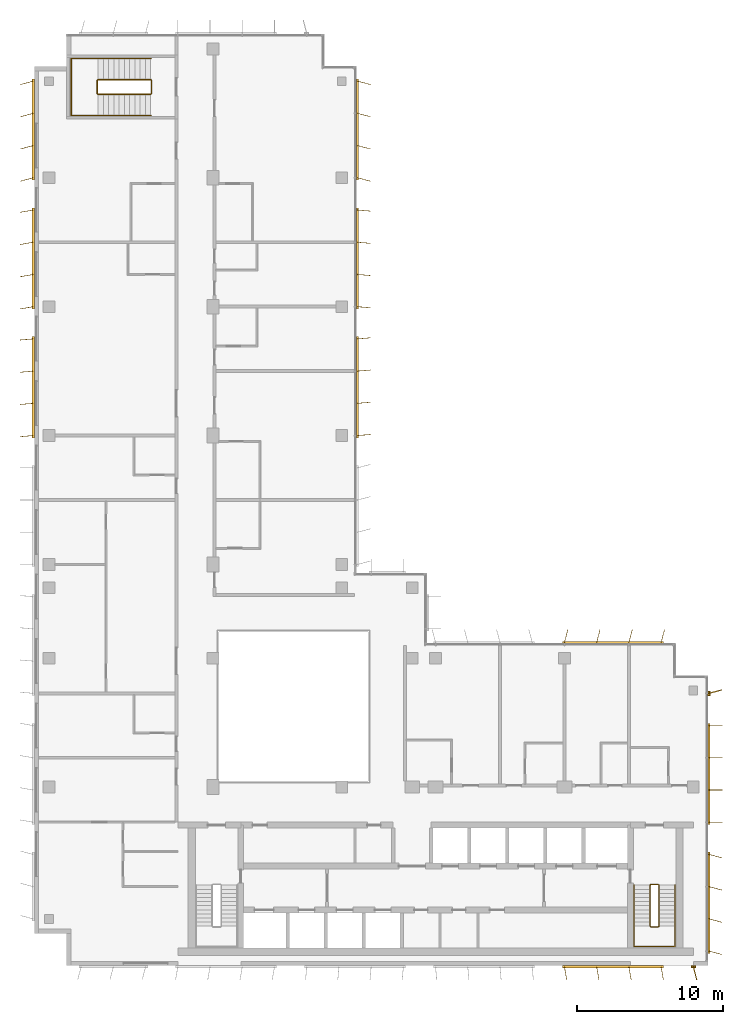
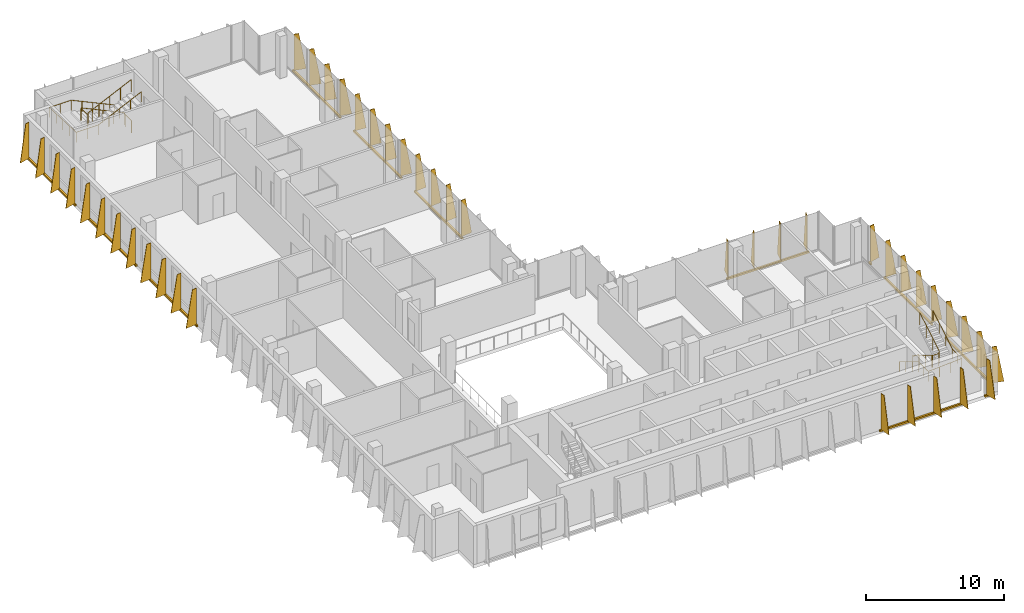
# One storey, part 14 of 15: 12 shading devices, 4 railings.
"""IFC4 building model written with IfcOpenShell, lengths in metres."""

import ifcopenshell
import ifcopenshell.guid

model = None  # the IFC model being written
_history = None  # IfcOwnerHistory: only IFC2X3 demands one
_inside = {}  # id of a spatial element -> (the spatial element, [elements in it])
_under = {}  # id of a project, library or spatial element -> (it, [spatial elements below it])
_declared = {}  # id of a project -> (the project, [libraries it declares])
_typed = {}  # id of a type object -> (the type object, [elements of that type])
_made_of = {}  # id of a material, layer set ... -> (it, [elements and type objects made of it])


def new_model(schema):
    """Start an empty IFC model of exactly this schema.

    Asked for "IFC4X3", IfcOpenShell would pick the latest addendum, in which some entities
    have other attributes; the version numbers below select the first issue.
    IFC2X3 requires an IfcOwnerHistory on every rooted entity: one is made here for all.
    """
    global model, _history
    if schema == "IFC4X3":
        model = ifcopenshell.file(schema_version=(4, 3, 0, 0))
    else:
        model = ifcopenshell.file(schema=schema)
    _inside.clear()
    _under.clear()
    _declared.clear()
    _typed.clear()
    _made_of.clear()
    _history = None
    if model.schema == "IFC2X3":
        org = make("IfcOrganization", Name="unknown")
        user = make(
            "IfcPersonAndOrganization",
            ThePerson=make("IfcPerson", FamilyName="unknown"),
            TheOrganization=org,
        )
        app = make(
            "IfcApplication",
            ApplicationDeveloper=org,
            Version="unknown",
            ApplicationFullName="unknown",
            ApplicationIdentifier="unknown",
        )
        _history = make(
            "IfcOwnerHistory",
            OwningUser=user,
            OwningApplication=app,
            ChangeAction="ADDED",
            CreationDate=0,
        )
    return model


def make(cls, **values):
    """One entity of the class cls with the attributes given. An attribute that is None is left unset."""
    return model.create_entity(
        cls, **{name: value for name, value in values.items() if value is not None}
    )


def rooted(cls, **values):
    """An entity with a GlobalId (a new one), such as an element, a storey or a relation."""
    return make(cls, GlobalId=ifcopenshell.guid.new(), OwnerHistory=_history, **values)


def si_unit(unit_type, name, prefix=None):
    """IfcSIUnit, for example si_unit("LENGTHUNIT", "METRE", prefix="MILLI")."""
    return make("IfcSIUnit", UnitType=unit_type, Prefix=prefix, Name=name)


def assignment(units):
    """IfcUnitAssignment: the units of a project."""
    return None if units is None else make("IfcUnitAssignment", Units=units)


def point(xyz):
    """IfcCartesianPoint."""
    return None if xyz is None else make("IfcCartesianPoint", Coordinates=xyz)


def direction(xyz):
    """IfcDirection."""
    return None if xyz is None else make("IfcDirection", DirectionRatios=xyz)


def frame(location, z_axis=None, x_axis=None):
    """IfcAxis2Placement3D, a coordinate frame: its origin and axes. An axis left out is left unset."""
    return make(
        "IfcAxis2Placement3D",
        Location=point(location),
        Axis=direction(z_axis),
        RefDirection=direction(x_axis),
    )


def frame_2d(location, x_axis=None):
    """IfcAxis2Placement2D, a coordinate frame in the plane: its origin and x axis."""
    return make(
        "IfcAxis2Placement2D", Location=point(location), RefDirection=direction(x_axis)
    )


def origin():
    """The frame at (0, 0, 0) with its axes left unset."""
    return frame((0.0, 0.0, 0.0))


def origin_2d():
    """The frame at (0, 0) in the plane with its x axis left unset."""
    return frame_2d((0.0, 0.0))


def place(relative_to, where):
    """IfcLocalPlacement: puts the frame where relative to a parent placement (None: the world)."""
    return make(
        "IfcLocalPlacement", PlacementRelTo=relative_to, RelativePlacement=where
    )


def context(
    kind, dimensions, precision=None, world=None, true_north=None, identifier=None
):
    """IfcGeometricRepresentationContext, for example the 3D "Model" context."""
    return make(
        "IfcGeometricRepresentationContext",
        ContextIdentifier=identifier,
        ContextType=kind,
        CoordinateSpaceDimension=dimensions,
        Precision=precision,
        WorldCoordinateSystem=world,
        TrueNorth=true_north,
    )


def subcontext(parent, identifier, kind, view, scale=None):
    """IfcGeometricRepresentationSubContext, for example "Body" below "Model"."""
    return make(
        "IfcGeometricRepresentationSubContext",
        ContextIdentifier=identifier,
        ContextType=kind,
        ParentContext=parent,
        TargetScale=scale,
        TargetView=view,
    )


def project(units=None, contexts=None):
    """IfcProject with its units and contexts."""
    return rooted(
        "IfcProject",
        Name="project",
        RepresentationContexts=contexts,
        UnitsInContext=assignment(units),
    )


def spatial(cls, under=None, at=None, **own):
    """A site, building, storey or space (cls), placed at a placement, below another one or the project."""
    s = rooted(cls, ObjectPlacement=at, **own)
    if under is not None:
        _under.setdefault(under.id(), (under, []))[1].append(s)
    return s


def polyline(points):
    """IfcPolyline through the points."""
    return make("IfcPolyline", Points=[point(p) for p in points])


def profile(cls, at=None, kind="AREA", **sizes):
    """A parametric profile (cls). Its sizes go by their IFC names, for example OverallWidth=200.0."""
    return make(cls, ProfileType=kind, Position=at, **sizes)


def rectangle(**sizes):
    """IfcRectangleProfileDef."""
    return profile("IfcRectangleProfileDef", **sizes)


def circle(**sizes):
    """IfcCircleProfileDef."""
    return profile("IfcCircleProfileDef", **sizes)


def outline(outer, holes=None, kind="AREA"):
    """IfcArbitraryClosedProfileDef: a profile drawn as a closed curve; with holes, ...WithVoids."""
    if holes is None:
        return make("IfcArbitraryClosedProfileDef", ProfileType=kind, OuterCurve=outer)
    return make(
        "IfcArbitraryProfileDefWithVoids",
        ProfileType=kind,
        OuterCurve=outer,
        InnerCurves=holes,
    )


def extrude(swept, where, along, depth):
    """IfcExtrudedAreaSolid: the profile swept, set in the frame where, extruded along a direction by depth."""
    return make(
        "IfcExtrudedAreaSolid",
        SweptArea=swept,
        Position=where,
        ExtrudedDirection=direction(along),
        Depth=depth,
    )


def shape(context_of_items, identifier, shape_type, items):
    """IfcShapeRepresentation: the items that make up one representation, for example the "Body"."""
    return make(
        "IfcShapeRepresentation",
        ContextOfItems=context_of_items,
        RepresentationIdentifier=identifier,
        RepresentationType=shape_type,
        Items=items,
    )


def source(mapping_origin, context_of_items, identifier, shape_type, items):
    """IfcRepresentationMap: a shape defined once, which mapped items show again and again."""
    return make(
        "IfcRepresentationMap",
        MappingOrigin=mapping_origin,
        MappedRepresentation=shape(context_of_items, identifier, shape_type, items),
    )


def transform(
    local_origin,
    x_axis=None,
    y_axis=None,
    z_axis=None,
    scale=None,
    scale2=None,
    scale3=None,
    uniform=True,
):
    """IfcCartesianTransformationOperator3D, or its non-uniform kind. x_axis, y_axis, z_axis: its Axis1, 2, 3."""
    if uniform:
        return make(
            "IfcCartesianTransformationOperator3D",
            Axis1=direction(x_axis),
            Axis2=direction(y_axis),
            LocalOrigin=point(local_origin),
            Scale=scale,
            Axis3=direction(z_axis),
        )
    return make(
        "IfcCartesianTransformationOperator3DnonUniform",
        Axis1=direction(x_axis),
        Axis2=direction(y_axis),
        LocalOrigin=point(local_origin),
        Scale=scale,
        Axis3=direction(z_axis),
        Scale2=scale2,
        Scale3=scale3,
    )


def mapped(mapping_source, mapping_target):
    """IfcMappedItem: shows the shape of a source again, moved by a transform."""
    return make(
        "IfcMappedItem", MappingSource=mapping_source, MappingTarget=mapping_target
    )


def material(Name=None, Category=None):
    """IfcMaterial."""
    return make("IfcMaterial", Name=Name, Category=Category)


def layer(
    of_material, thickness, ventilated=None, Name=None, Category=None, Priority=None
):
    """IfcMaterialLayer: one layer of a wall or slab, of a material (None: an air gap)."""
    return make(
        "IfcMaterialLayer",
        Material=of_material,
        LayerThickness=thickness,
        IsVentilated=ventilated,
        Name=Name,
        Category=Category,
        Priority=Priority,
    )


def layer_set(layers, Name=None):
    """IfcMaterialLayerSet."""
    return make("IfcMaterialLayerSet", MaterialLayers=layers, LayerSetName=Name)


def made_of(thing, what):
    """Note that an element or type object is made of a material, layer set ...; save() writes the relation."""
    if what is not None:
        _made_of.setdefault(what.id(), (what, []))[1].append(thing)
    return thing


def type_object(cls, material=None, **own):
    """A type object (cls), such as IfcWallType, which elements share."""
    return made_of(rooted(cls, **own), material)


def element(
    cls,
    number,
    at=None,
    inside=None,
    cuts=None,
    type_object=None,
    material=None,
    context=None,
    identifier="Body",
    shape_type=None,
    held_by="IfcProductDefinitionShape",
    body=None,
    shapes=None,
    **own,
):
    """One element of the class cls, such as IfcWall. Its Tag is "e" and its number.

    at: its placement. inside: the storey or other place that contains it. cuts: it is an
    opening in that element (IfcRelVoidsElement). A single representation is given by context,
    identifier, shape_type and body (its items); several are given by shapes. held_by: the class
    of the entity that holds the representations. save() writes the other relations.
    """
    e = rooted(cls, Tag="e%d" % number, ObjectPlacement=at, **own)
    if body is not None:
        shapes = [shape(context, identifier, shape_type, body)]
    if shapes is not None:
        e.Representation = make(held_by, Representations=shapes)
    if inside is not None:
        _inside.setdefault(inside.id(), (inside, []))[1].append(e)
    if cuts is not None:
        rooted(
            "IfcRelVoidsElement", RelatingBuildingElement=cuts, RelatedOpeningElement=e
        )
    if type_object is not None:
        _typed.setdefault(type_object.id(), (type_object, []))[1].append(e)
    return made_of(e, material)


def aggregate(whole, parts):
    """IfcRelAggregates: a whole, such as a stair, and the parts it consists of."""
    return rooted("IfcRelAggregates", RelatingObject=whole, RelatedObjects=parts)


def save(model, path):
    """Write the relations noted so far, then the file.

    IfcRelAggregates (storeys below a building ...), IfcRelContainedInSpatialStructure (elements
    in a storey), IfcRelDefinesByType, IfcRelAssociatesMaterial and IfcRelDeclares: one each for
    every whole, place, type object, material and project.
    """
    for whole, parts in _under.values():
        aggregate(whole, parts)
    for where, things in _inside.values():
        rooted(
            "IfcRelContainedInSpatialStructure",
            RelatedElements=things,
            RelatingStructure=where,
        )
    for kind, things in _typed.values():
        rooted("IfcRelDefinesByType", RelatedObjects=things, RelatingType=kind)
    for what, things in _made_of.values():
        rooted("IfcRelAssociatesMaterial", RelatedObjects=things, RelatingMaterial=what)
    for by, libraries in _declared.values():
        rooted("IfcRelDeclares", RelatingContext=by, RelatedDefinitions=libraries)
    model.write(path)


model = new_model("IFC4")

# Units and contexts
model_context = context("Model", 3, precision=1e-05, world=origin(), true_north=direction((0.0, 1.0)))
body_context = subcontext(model_context, "Body", "Model", "MODEL_VIEW")
ifc_project = project(units=[si_unit("LENGTHUNIT", "METRE"), si_unit("AREAUNIT", "SQUARE_METRE"), si_unit("VOLUMEUNIT", "CUBIC_METRE"), si_unit("PLANEANGLEUNIT", "RADIAN"), si_unit("MASSUNIT", "GRAM", prefix="KILO")], contexts=[model_context])

# Site, building, storey
site_placement = place(None, origin())
site = spatial("IfcSite", under=ifc_project, at=site_placement, CompositionType="ELEMENT")
building_placement = place(site_placement, origin())
building = spatial("IfcBuilding", under=site, at=building_placement, Name="Kemantara Hotel Tower", CompositionType="ELEMENT")
storey_placement = place(building_placement, frame((0.0, 0.0, 279.60009765625)))
storey = spatial("IfcBuildingStorey", under=building, at=storey_placement, Name="L70", CompositionType="ELEMENT", Elevation=279.60009765625)

# Railings
ifc_material_1 = material(Name="Stainless steel balustrade", Category="steel")
railing_type_1 = type_object("IfcRailingType", Name="Stair guard 1100 mm", PredefinedType="GUARDRAIL", material=ifc_material_1)
railing_1_placement = place(storey_placement, frame((42.64990234375, 5.5, 3.699951171875)))
element("IfcRailing", 1, at=railing_1_placement, inside=storey, type_object=railing_type_1, Name="L70 ST2 stair guard 1", PredefinedType="GUARDRAIL", context=body_context, shape_type="SweptSolid", body=[
    extrude(circle(Radius=0.02392578125, at=origin_2d()), frame((0.0, 0.0, 1.076171875), z_axis=(0.0, -0.857242210791, -0.514913383045), x_axis=(1.0, 0.0, 0.0)), (0.0, 0.0, 1.0), 3.266357421875),
    extrude(circle(Radius=0.02392578125, at=origin_2d()), frame((0.0, -2.800048828125, -0.60595703125), z_axis=(-0.273006030465, -0.27434429532, -0.922064485248), x_axis=(0.708833529934, -0.705375805398, 0.0)), (0.0, 0.0, 1.0), 0.182373046875),
    extrude(circle(Radius=0.02392578125, at=origin_2d()), frame((-0.0498046875, -2.85009765625, -0.77392578125), z_axis=(-1.0, 0.0, 0.0), x_axis=(0.0, -1.0, 0.0)), (0.0, 0.0, 1.0), 0.5),
    extrude(circle(Radius=0.02392578125, at=origin_2d()), frame((-0.5498046875, -2.85009765625, -0.77392578125), z_axis=(-0.707106781187, 0.707106781187, 0.0), x_axis=(-0.707106781187, -0.707106781187, 0.0)), (0.0, 0.0, 1.0), 0.07080078125),
    extrude(circle(Radius=0.02392578125, at=origin_2d()), frame((-0.599853515625, -2.800048828125, -0.77392578125), z_axis=(0.0, 0.857242210791, -0.514913383045), x_axis=(-1.0, 0.0, 0.0)), (0.0, 0.0, 1.0), 3.266357421875),
    extrude(circle(Radius=0.02392578125, at=origin_2d()), frame((-0.599853515625, 0.0, -2.4560546875), z_axis=(0.274582412415, 0.274582412415, -0.921525364591), x_axis=(-0.707106781187, 0.707106781187, 0.0)), (0.0, 0.0, 1.0), 0.182373046875),
    extrude(circle(Radius=0.02392578125, at=origin_2d()), frame((-0.5498046875, 0.050048828125, -2.6240234375), z_axis=(1.0, 0.0, 0.0), x_axis=(0.0, 1.0, 0.0)), (0.0, 0.0, 1.0), 0.5),
    extrude(circle(Radius=0.02099609375, at=origin_2d()), origin(), (0.0, 0.0, 1.0), 1.052001953125),
    extrude(circle(Radius=0.02099609375, at=origin_2d()), frame((0.0, -0.933349609375, -0.560546875)), (0.0, 0.0, 1.0), 1.052001953125),
    extrude(circle(Radius=0.02099609375, at=origin_2d()), frame((0.0, -1.86669921875, -1.121337890625)), (0.0, 0.0, 1.0), 1.052001953125),
    extrude(circle(Radius=0.02099609375, at=origin_2d()), frame((0.0, -2.800048828125, -1.681884765625)), (0.0, 0.0, 1.0), 1.052001953125),
    extrude(circle(Radius=0.02099609375, at=origin_2d()), frame((-0.0498046875, -2.85009765625, -1.85009765625)), (0.0, 0.0, 1.0), 1.052001953125),
    extrude(circle(Radius=0.02099609375, at=origin_2d()), frame((-0.5498046875, -2.85009765625, -1.85009765625)), (0.0, 0.0, 1.0), 1.052001953125),
    extrude(circle(Radius=0.02099609375, at=origin_2d()), frame((-0.599853515625, -2.800048828125, -1.85009765625)), (0.0, 0.0, 1.0), 1.052001953125),
    extrude(circle(Radius=0.02099609375, at=origin_2d()), frame((-0.599853515625, -1.86669921875, -2.41064453125)), (0.0, 0.0, 1.0), 1.052001953125),
    extrude(circle(Radius=0.02099609375, at=origin_2d()), frame((-0.599853515625, -0.933349609375, -2.971435546875)), (0.0, 0.0, 1.0), 1.052001953125),
    extrude(circle(Radius=0.02099609375, at=origin_2d()), frame((-0.599853515625, 0.0, -3.531982421875)), (0.0, 0.0, 1.0), 1.052001953125),
    extrude(circle(Radius=0.02099609375, at=origin_2d()), frame((-0.5498046875, 0.050048828125, -3.699951171875)), (0.0, 0.0, 1.0), 1.052001953125),
    extrude(circle(Radius=0.02099609375, at=origin_2d()), frame((-0.0498046875, 0.050048828125, -3.699951171875)), (0.0, 0.0, 1.0), 1.052001953125),
])
railing_2_placement = place(storey_placement, frame((7.949951171875, 59.5, 3.699951171875)))
element("IfcRailing", 2, at=railing_2_placement, inside=storey, type_object=railing_type_1, Name="L70 ST4 stair guard 1", PredefinedType="GUARDRAIL", context=body_context, shape_type="SweptSolid", body=[
    extrude(circle(Radius=0.02392578125, at=origin_2d()), frame((0.0, 0.0, 1.076171875), z_axis=(-0.905994681025, 0.0, -0.423289071386), x_axis=(0.0, -1.0, 0.0)), (0.0, 0.0, 1.0), 3.973388671875),
    extrude(circle(Radius=0.02392578125, at=origin_2d()), frame((-3.599853515625, 0.0, -0.60595703125), z_axis=(-0.274243871929, 0.274243871929, -0.92172696468), x_axis=(-0.707106781187, -0.707106781187, 0.0)), (0.0, 0.0, 1.0), 0.1826171875),
    extrude(circle(Radius=0.02392578125, at=origin_2d()), frame((-3.64990234375, 0.050048828125, -0.77392578125), z_axis=(0.0, 1.0, 0.0), x_axis=(-1.0, 0.0, 0.0)), (0.0, 0.0, 1.0), 0.89990234375),
    extrude(circle(Radius=0.02392578125, at=origin_2d()), frame((-3.64990234375, 0.949951171875, -0.77392578125), z_axis=(0.707106781187, 0.707106781187, 0.0), x_axis=(-0.707106781187, 0.707106781187, 0.0)), (0.0, 0.0, 1.0), 0.07080078125),
    extrude(circle(Radius=0.02392578125, at=origin_2d()), frame((-3.599853515625, 1.0, -0.77392578125), z_axis=(0.905994681025, 0.0, -0.423289071386), x_axis=(0.0, 1.0, 0.0)), (0.0, 0.0, 1.0), 3.973388671875),
    extrude(circle(Radius=0.02392578125, at=origin_2d()), frame((0.0, 1.0, -2.4560546875), z_axis=(0.274582412415, -0.274582412415, -0.921525364591), x_axis=(0.707106781187, 0.707106781187, 0.0)), (0.0, 0.0, 1.0), 0.182373046875),
    extrude(circle(Radius=0.02392578125, at=origin_2d()), frame((0.050048828125, 0.949951171875, -2.6240234375), z_axis=(0.0, -1.0, 0.0), x_axis=(1.0, 0.0, 0.0)), (0.0, 0.0, 1.0), 0.89990234375),
    extrude(circle(Radius=0.02099609375, at=origin_2d()), origin(), (0.0, 0.0, 1.0), 1.052001953125),
    extrude(circle(Radius=0.02099609375, at=origin_2d()), frame((-0.89990234375, 0.0, -0.42041015625)), (0.0, 0.0, 1.0), 1.052001953125),
    extrude(circle(Radius=0.02099609375, at=origin_2d()), frame((-1.7998046875, 0.0, -0.8408203125)), (0.0, 0.0, 1.0), 1.052001953125),
    extrude(circle(Radius=0.02099609375, at=origin_2d()), frame((-2.699951171875, 0.0, -1.261474609375)), (0.0, 0.0, 1.0), 1.052001953125),
    extrude(circle(Radius=0.02099609375, at=origin_2d()), frame((-3.599853515625, 0.0, -1.681884765625)), (0.0, 0.0, 1.0), 1.052001953125),
    extrude(circle(Radius=0.02099609375, at=origin_2d()), frame((-3.64990234375, 0.050048828125, -1.85009765625)), (0.0, 0.0, 1.0), 1.052001953125),
    extrude(circle(Radius=0.02099609375, at=origin_2d()), frame((-3.64990234375, 0.949951171875, -1.85009765625)), (0.0, 0.0, 1.0), 1.052001953125),
    extrude(circle(Radius=0.02099609375, at=origin_2d()), frame((-3.599853515625, 1.0, -1.85009765625)), (0.0, 0.0, 1.0), 1.052001953125),
    extrude(circle(Radius=0.02099609375, at=origin_2d()), frame((-2.699951171875, 1.0, -2.2705078125)), (0.0, 0.0, 1.0), 1.052001953125),
    extrude(circle(Radius=0.02099609375, at=origin_2d()), frame((-1.7998046875, 1.0, -2.69091796875)), (0.0, 0.0, 1.0), 1.052001953125),
    extrude(circle(Radius=0.02099609375, at=origin_2d()), frame((-0.89990234375, 1.0, -3.111572265625)), (0.0, 0.0, 1.0), 1.052001953125),
    extrude(circle(Radius=0.02099609375, at=origin_2d()), frame((0.0, 1.0, -3.531982421875)), (0.0, 0.0, 1.0), 1.052001953125),
    extrude(circle(Radius=0.02099609375, at=origin_2d()), frame((0.050048828125, 0.949951171875, -3.699951171875)), (0.0, 0.0, 1.0), 1.052001953125),
    extrude(circle(Radius=0.02099609375, at=origin_2d()), frame((0.050048828125, 0.050048828125, -3.699951171875)), (0.0, 0.0, 1.0), 1.052001953125),
])
railing_type_2 = type_object("IfcRailingType", Name="Stair handrail 900 mm", PredefinedType="HANDRAIL", material=ifc_material_1)
railing_3_placement = place(storey_placement, frame((40.949951171875, 5.5, 0.16796875)))
element("IfcRailing", 3, at=railing_3_placement, inside=storey, type_object=railing_type_2, Name="L70 ST2 stair handrail 1", PredefinedType="HANDRAIL", context=body_context, shape_type="SweptSolid", body=[
    extrude(circle(Radius=0.02392578125, at=origin_2d()), frame((0.0, 0.0, 0.8759765625), z_axis=(0.0, -0.857242210791, 0.514913383045), x_axis=(1.0, 0.0, 0.0)), (0.0, 0.0, 1.0), 3.266357421875),
    extrude(circle(Radius=0.02392578125, at=origin_2d()), frame((0.0, -2.800048828125, 2.5576171875), z_axis=(0.0, -1.0, 0.0), x_axis=(1.0, 0.0, 0.0)), (0.0, 0.0, 1.0), 1.3798828125),
    extrude(circle(Radius=0.02392578125, at=origin_2d()), frame((0.0, -4.179931640625, 2.5576171875), z_axis=(0.998200367801, 0.0, 0.059966871865), x_axis=(0.0, 1.0, 0.0)), (0.0, 0.0, 1.0), 2.80517578125),
    extrude(circle(Radius=0.02392578125, at=origin_2d()), frame((2.800048828125, -4.179931640625, 2.72607421875), z_axis=(0.0, 1.0, 0.0), x_axis=(-1.0, 0.0, 0.0)), (0.0, 0.0, 1.0), 1.3798828125),
    extrude(circle(Radius=0.02392578125, at=origin_2d()), frame((2.800048828125, -2.800048828125, 2.72607421875), z_axis=(0.0, 0.857242210791, 0.514913383045), x_axis=(-1.0, 0.0, 0.0)), (0.0, 0.0, 1.0), 3.266357421875),
    extrude(circle(Radius=0.02099609375, at=origin_2d()), origin(), (0.0, 0.0, 1.0), 0.851806640625),
    extrude(circle(Radius=0.02099609375, at=origin_2d()), frame((0.0, -0.933349609375, 0.560546875)), (0.0, 0.0, 1.0), 0.851806640625),
    extrude(circle(Radius=0.02099609375, at=origin_2d()), frame((0.0, -1.86669921875, 1.121337890625)), (0.0, 0.0, 1.0), 0.851806640625),
    extrude(circle(Radius=0.02099609375, at=origin_2d()), frame((0.0, -2.800048828125, 1.681884765625)), (0.0, 0.0, 1.0), 0.851806640625),
    extrude(circle(Radius=0.02099609375, at=origin_2d()), frame((0.0, -3.489990234375, 1.681884765625)), (0.0, 0.0, 1.0), 0.851806640625),
    extrude(circle(Radius=0.02099609375, at=origin_2d()), frame((0.0, -4.179931640625, 1.681884765625)), (0.0, 0.0, 1.0), 0.851806640625),
    extrude(circle(Radius=0.02099609375, at=origin_2d()), frame((0.933349609375, -4.179931640625, 1.738037109375)), (0.0, 0.0, 1.0), 0.851806640625),
    extrude(circle(Radius=0.02099609375, at=origin_2d()), frame((1.86669921875, -4.179931640625, 1.7939453125)), (0.0, 0.0, 1.0), 0.851806640625),
    extrude(circle(Radius=0.02099609375, at=origin_2d()), frame((2.800048828125, -4.179931640625, 1.85009765625)), (0.0, 0.0, 1.0), 0.851806640625),
    extrude(circle(Radius=0.02099609375, at=origin_2d()), frame((2.800048828125, -3.489990234375, 1.85009765625)), (0.0, 0.0, 1.0), 0.851806640625),
    extrude(circle(Radius=0.02099609375, at=origin_2d()), frame((2.800048828125, -2.800048828125, 1.85009765625)), (0.0, 0.0, 1.0), 0.851806640625),
    extrude(circle(Radius=0.02099609375, at=origin_2d()), frame((2.800048828125, -1.86669921875, 2.41064453125)), (0.0, 0.0, 1.0), 0.851806640625),
    extrude(circle(Radius=0.02099609375, at=origin_2d()), frame((2.800048828125, -0.933349609375, 2.971435546875)), (0.0, 0.0, 1.0), 0.851806640625),
    extrude(circle(Radius=0.02099609375, at=origin_2d()), frame((2.800048828125, 0.0, 3.531982421875)), (0.0, 0.0, 1.0), 0.851806640625),
])
railing_4_placement = place(storey_placement, frame((7.949951171875, 61.949951171875, 0.16796875)))
element("IfcRailing", 4, at=railing_4_placement, inside=storey, type_object=railing_type_2, Name="L70 ST4 stair handrail 1", PredefinedType="HANDRAIL", context=body_context, shape_type="SweptSolid", body=[
    extrude(circle(Radius=0.02392578125, at=origin_2d()), frame((0.0, 0.0, 0.8759765625), z_axis=(-0.905994681025, 0.0, 0.423289071386), x_axis=(0.0, -1.0, 0.0)), (0.0, 0.0, 1.0), 3.973388671875),
    extrude(circle(Radius=0.02392578125, at=origin_2d()), frame((-3.599853515625, 0.0, 2.5576171875), z_axis=(-1.0, 0.0, 0.0), x_axis=(0.0, -1.0, 0.0)), (0.0, 0.0, 1.0), 1.830078125),
    extrude(circle(Radius=0.02392578125, at=origin_2d()), frame((-5.429931640625, 0.0, 2.5576171875), z_axis=(0.0, -0.999071085748, 0.043092523981), x_axis=(1.0, 0.0, 0.0)), (0.0, 0.0, 1.0), 3.903564453125),
    extrude(circle(Radius=0.02392578125, at=origin_2d()), frame((-5.429931640625, -3.89990234375, 2.72607421875), z_axis=(1.0, 0.0, 0.0), x_axis=(0.0, 1.0, 0.0)), (0.0, 0.0, 1.0), 1.830078125),
    extrude(circle(Radius=0.02392578125, at=origin_2d()), frame((-3.599853515625, -3.89990234375, 2.72607421875), z_axis=(0.905994681025, 0.0, 0.423289071386), x_axis=(0.0, 1.0, 0.0)), (0.0, 0.0, 1.0), 3.973388671875),
    extrude(circle(Radius=0.02099609375, at=origin_2d()), origin(), (0.0, 0.0, 1.0), 0.851806640625),
    extrude(circle(Radius=0.02099609375, at=origin_2d()), frame((-0.89990234375, 0.0, 0.42041015625)), (0.0, 0.0, 1.0), 0.851806640625),
    extrude(circle(Radius=0.02099609375, at=origin_2d()), frame((-1.7998046875, 0.0, 0.8408203125)), (0.0, 0.0, 1.0), 0.851806640625),
    extrude(circle(Radius=0.02099609375, at=origin_2d()), frame((-2.699951171875, 0.0, 1.261474609375)), (0.0, 0.0, 1.0), 0.851806640625),
    extrude(circle(Radius=0.02099609375, at=origin_2d()), frame((-3.599853515625, 0.0, 1.681884765625)), (0.0, 0.0, 1.0), 0.851806640625),
    extrude(circle(Radius=0.02099609375, at=origin_2d()), frame((-4.514892578125, 0.0, 1.681884765625)), (0.0, 0.0, 1.0), 0.851806640625),
    extrude(circle(Radius=0.02099609375, at=origin_2d()), frame((-5.429931640625, 0.0, 1.681884765625)), (0.0, 0.0, 1.0), 0.851806640625),
    extrude(circle(Radius=0.02099609375, at=origin_2d()), frame((-5.429931640625, -0.97509765625, 1.723876953125)), (0.0, 0.0, 1.0), 0.851806640625),
    extrude(circle(Radius=0.02099609375, at=origin_2d()), frame((-5.429931640625, -1.949951171875, 1.76611328125)), (0.0, 0.0, 1.0), 0.851806640625),
    extrude(circle(Radius=0.02099609375, at=origin_2d()), frame((-5.429931640625, -2.9248046875, 1.80810546875)), (0.0, 0.0, 1.0), 0.851806640625),
    extrude(circle(Radius=0.02099609375, at=origin_2d()), frame((-5.429931640625, -3.89990234375, 1.85009765625)), (0.0, 0.0, 1.0), 0.851806640625),
    extrude(circle(Radius=0.02099609375, at=origin_2d()), frame((-4.514892578125, -3.89990234375, 1.85009765625)), (0.0, 0.0, 1.0), 0.851806640625),
    extrude(circle(Radius=0.02099609375, at=origin_2d()), frame((-3.599853515625, -3.89990234375, 1.85009765625)), (0.0, 0.0, 1.0), 0.851806640625),
    extrude(circle(Radius=0.02099609375, at=origin_2d()), frame((-2.699951171875, -3.89990234375, 2.2705078125)), (0.0, 0.0, 1.0), 0.851806640625),
    extrude(circle(Radius=0.02099609375, at=origin_2d()), frame((-1.7998046875, -3.89990234375, 2.69091796875)), (0.0, 0.0, 1.0), 0.851806640625),
    extrude(circle(Radius=0.02099609375, at=origin_2d()), frame((-0.89990234375, -3.89990234375, 3.111572265625)), (0.0, 0.0, 1.0), 0.851806640625),
    extrude(circle(Radius=0.02099609375, at=origin_2d()), frame((0.0, -3.89990234375, 3.531982421875)), (0.0, 0.0, 1.0), 0.851806640625),
])

# Shading devices
ifc_material_2 = material(Name="Perforated aluminium plate 4 mm bronze anodised", Category="aluminium")
ifc_layer_1 = layer(ifc_material_2, 0.0400390625)
ifc_layer_set_1 = layer_set([ifc_layer_1], Name="Perforated aluminium plate 4 mm bronze anodised")
shading_device_type_1 = type_object("IfcShadingDeviceType", Name="SCREEN FIN CASSETTE, 4 BLADES AT -5.0 DEG, 3200 HIGH", PredefinedType="USERDEFINED", material=ifc_layer_set_1)
shared_shape_1 = source(origin(), body_context, "Body", "SweptSolid", [
    extrude(rectangle(XDim=6.89990234375, YDim=0.14990234375, at=origin_2d()), frame((3.300048828125, -0.074951171875, -0.14990234375), z_axis=(0.0, 0.0, 1.0), x_axis=(1.0, 0.0, 0.0)), (0.0, 0.0, 1.0), 0.14990234375),
    extrude(outline(polyline([(0.0, 0.0), (0.89990234375, 0.0), (0.35009765625, 3.199951171875), (0.0, 3.199951171875), (0.0, 0.0)])), frame((0.02001953125, -0.07666015625, 0.0), z_axis=(-0.996376129781, 0.085056498884, 0.0), x_axis=(-0.085056498884, -0.996376129781, 0.0)), (0.0, 0.0, 1.0), 0.040283203125),
    extrude(outline(polyline([(0.0, 0.0), (0.89990234375, 0.0), (0.35009765625, 3.199951171875), (0.0, 3.199951171875), (0.0, 0.0)])), frame((2.219970703125, -0.07666015625, 0.0), z_axis=(-0.996331773833, 0.085574508182, 0.0), x_axis=(-0.085574508182, -0.996331773833, 0.0)), (0.0, 0.0, 1.0), 0.0400390625),
    extrude(outline(polyline([(0.0, 0.0), (0.89990234375, 0.0), (0.35009765625, 3.199951171875), (0.0, 3.199951171875), (0.0, 0.0)])), frame((4.419921875, -0.07666015625, 0.0), z_axis=(-0.996331773833, 0.085574508182, 0.0), x_axis=(-0.085574508182, -0.996331773833, 0.0)), (0.0, 0.0, 1.0), 0.0400390625),
    extrude(outline(polyline([(0.0, 0.0), (0.89990234375, 0.0), (0.35009765625, 3.199951171875), (0.0, 3.199951171875), (0.0, 0.0)])), frame((6.619873046875, -0.07666015625, 0.0), z_axis=(-0.996331773833, 0.085574508182, 0.0), x_axis=(-0.085574508182, -0.996331773833, 0.0)), (0.0, 0.0, 1.0), 0.0400390625),
])
shading_device_1_placement = place(storey_placement, frame((22.0, 45.0, 0.099853515625), z_axis=(0.0, 0.0, 1.0), x_axis=(0.0, 1.0, 0.0)))
element("IfcShadingDevice", 5, at=shading_device_1_placement, inside=storey, type_object=shading_device_type_1, Name="SCREEN FIN CASSETTE L70 T4-R15-3", ObjectType="SCREEN FIN", PredefinedType="USERDEFINED", context=body_context, shape_type="MappedRepresentation", body=[
    mapped(shared_shape_1, transform((0.0, 0.0, 0.0))),
])
ifc_layer_2 = layer(ifc_material_2, 0.0400390625)
ifc_layer_set_2 = layer_set([ifc_layer_2], Name="Perforated aluminium plate 4 mm bronze anodised")
shading_device_type_2 = type_object("IfcShadingDeviceType", Name="SCREEN FIN CASSETTE, 4 BLADES AT +0.0 DEG, 3200 HIGH", PredefinedType="USERDEFINED", material=ifc_layer_set_2)
shared_shape_2 = source(origin(), body_context, "Body", "SweptSolid", [
    extrude(rectangle(XDim=6.89990234375, YDim=0.14990234375, at=origin_2d()), frame((3.300048828125, -0.074951171875, -0.14990234375), z_axis=(0.0, 0.0, 1.0), x_axis=(1.0, 0.0, 0.0)), (0.0, 0.0, 1.0), 0.14990234375),
    extrude(outline(polyline([(0.0, 0.0), (0.89990234375, 0.0), (0.35009765625, 3.199951171875), (0.0, 3.199951171875), (0.0, 0.0)])), frame((0.02001953125, -0.074951171875, 0.0), z_axis=(-1.0, 0.0, 0.0), x_axis=(0.0, -1.0, 0.0)), (0.0, 0.0, 1.0), 0.0400390625),
    extrude(outline(polyline([(0.0, 0.0), (0.89990234375, 0.0), (0.35009765625, 3.199951171875), (0.0, 3.199951171875), (0.0, 0.0)])), frame((2.219970703125, -0.074951171875, 0.0), z_axis=(-1.0, 0.0, 0.0), x_axis=(0.0, -1.0, 0.0)), (0.0, 0.0, 1.0), 0.0400390625),
    extrude(outline(polyline([(0.0, 0.0), (0.89990234375, 0.0), (0.35009765625, 3.199951171875), (0.0, 3.199951171875), (0.0, 0.0)])), frame((4.419921875, -0.074951171875, 0.0), z_axis=(-1.0, 0.0, 0.0), x_axis=(0.0, -1.0, 0.0)), (0.0, 0.0, 1.0), 0.0400390625),
    extrude(outline(polyline([(0.0, 0.0), (0.89990234375, 0.0), (0.35009765625, 3.199951171875), (0.0, 3.199951171875), (0.0, 0.0)])), frame((6.6201171875, -0.074951171875, 0.0), z_axis=(-1.0, 0.0, 0.0), x_axis=(0.0, -1.0, 0.0)), (0.0, 0.0, 1.0), 0.0400390625),
])
shading_device_2_placement = place(storey_placement, frame((46.0, 9.800048828125, 0.099853515625), z_axis=(0.0, 0.0, 1.0), x_axis=(0.0, 1.0, 0.0)))
element("IfcShadingDevice", 6, at=shading_device_2_placement, inside=storey, type_object=shading_device_type_2, Name="SCREEN FIN CASSETTE L70 T4-R09-2", ObjectType="SCREEN FIN", PredefinedType="USERDEFINED", context=body_context, shape_type="MappedRepresentation", body=[
    mapped(shared_shape_2, transform((0.0, 0.0, 0.0))),
])
ifc_layer_3 = layer(ifc_material_2, 0.0400390625)
ifc_layer_set_3 = layer_set([ifc_layer_3], Name="Perforated aluminium plate 4 mm bronze anodised")
shading_device_type_3 = type_object("IfcShadingDeviceType", Name="SCREEN FIN CASSETTE, 4 BLADES AT +5.0 DEG, 3200 HIGH", PredefinedType="USERDEFINED", material=ifc_layer_set_3)
shared_shape_3 = source(origin(), body_context, "Body", "SweptSolid", [
    extrude(rectangle(XDim=6.89990234375, YDim=0.14990234375, at=origin_2d()), frame((3.300048828125, -0.074951171875, -0.14990234375), z_axis=(0.0, 0.0, 1.0), x_axis=(1.0, 0.0, 0.0)), (0.0, 0.0, 1.0), 0.14990234375),
    extrude(outline(polyline([(0.0, 0.0), (0.89990234375, 0.0), (0.35009765625, 3.199951171875), (0.0, 3.199951171875), (0.0, 0.0)])), frame((0.02001953125, -0.0732421875, 0.0), z_axis=(-0.996376129781, -0.085056498884, 0.0), x_axis=(0.085056498884, -0.996376129781, 0.0)), (0.0, 0.0, 1.0), 0.040283203125),
    extrude(outline(polyline([(0.0, 0.0), (0.89990234375, 0.0), (0.35009765625, 3.199951171875), (0.0, 3.199951171875), (0.0, 0.0)])), frame((2.219970703125, -0.0732421875, 0.0), z_axis=(-0.996331773833, -0.085574508182, 0.0), x_axis=(0.085574508182, -0.996331773833, 0.0)), (0.0, 0.0, 1.0), 0.0400390625),
    extrude(outline(polyline([(0.0, 0.0), (0.89990234375, 0.0), (0.35009765625, 3.199951171875), (0.0, 3.199951171875), (0.0, 0.0)])), frame((4.419921875, -0.0732421875, 0.0), z_axis=(-0.996331773833, -0.085574508182, 0.0), x_axis=(0.085574508182, -0.996331773833, 0.0)), (0.0, 0.0, 1.0), 0.0400390625),
    extrude(outline(polyline([(0.0, 0.0), (0.89990234375, 0.0), (0.35009765625, 3.199951171875), (0.0, 3.199951171875), (0.0, 0.0)])), frame((6.619873046875, -0.0732421875, 0.0), z_axis=(-0.996331773833, -0.085574508182, 0.0), x_axis=(0.085574508182, -0.996331773833, 0.0)), (0.0, 0.0, 1.0), 0.0400390625),
])
for number, where, z_axis, x_axis, name in (
    (7, (0.0, 42.800048828125, 0.099853515625), (0.0, 0.0, 1.0), (0.0, -1.0, 0.0), "SCREEN FIN CASSETTE L70 T4-R05-3"),
    (8, (22.0, 36.199951171875, 0.099853515625), (0.0, 0.0, 1.0), (0.0, 1.0, 0.0), "SCREEN FIN CASSETTE L70 T4-R15-2"),
):
    element("IfcShadingDevice", number, at=place(storey_placement, frame(where, z_axis=z_axis, x_axis=x_axis)), inside=storey, type_object=shading_device_type_3, Name=name, ObjectType="SCREEN FIN", PredefinedType="USERDEFINED", context=body_context, shape_type="MappedRepresentation", body=[
        mapped(shared_shape_3, transform((0.0, 0.0, 0.0))),
    ])
ifc_layer_4 = layer(ifc_material_2, 0.0400390625)
ifc_layer_set_4 = layer_set([ifc_layer_4], Name="Perforated aluminium plate 4 mm bronze anodised")
shading_device_type_4 = type_object("IfcShadingDeviceType", Name="SCREEN FIN CASSETTE, 4 BLADES AT +10.0 DEG, 3200 HIGH", PredefinedType="USERDEFINED", material=ifc_layer_set_4)
shared_shape_4 = source(origin(), body_context, "Body", "SweptSolid", [
    extrude(rectangle(XDim=6.89990234375, YDim=0.14990234375, at=origin_2d()), frame((3.300048828125, -0.074951171875, -0.14990234375), z_axis=(0.0, 0.0, 1.0), x_axis=(1.0, 0.0, 0.0)), (0.0, 0.0, 1.0), 0.14990234375),
    extrude(outline(polyline([(0.0, 0.0), (0.89990234375, 0.0), (0.35009765625, 3.199951171875), (0.0, 3.199951171875), (0.0, 0.0)])), frame((0.019775390625, -0.071533203125, 0.0), z_axis=(-0.985389793052, -0.170314285219, 0.0), x_axis=(0.170314285219, -0.985389793052, 0.0)), (0.0, 0.0, 1.0), 0.0400390625),
    extrude(outline(polyline([(0.0, 0.0), (0.89990234375, 0.0), (0.35009765625, 3.199951171875), (0.0, 3.199951171875), (0.0, 0.0)])), frame((2.2197265625, -0.071533203125, 0.0), z_axis=(-0.98521175482, -0.171341174751, 0.0), x_axis=(0.171341174751, -0.98521175482, 0.0)), (0.0, 0.0, 1.0), 0.039794921875),
    extrude(outline(polyline([(0.0, 0.0), (0.89990234375, 0.0), (0.35009765625, 3.199951171875), (0.0, 3.199951171875), (0.0, 0.0)])), frame((4.419677734375, -0.071533203125, 0.0), z_axis=(-0.98521175482, -0.171341174751, 0.0), x_axis=(0.171341174751, -0.98521175482, 0.0)), (0.0, 0.0, 1.0), 0.039794921875),
    extrude(outline(polyline([(0.0, 0.0), (0.89990234375, 0.0), (0.35009765625, 3.199951171875), (0.0, 3.199951171875), (0.0, 0.0)])), frame((6.61962890625, -0.071533203125, 0.0), z_axis=(-0.98521175482, -0.171341174751, 0.0), x_axis=(0.171341174751, -0.98521175482, 0.0)), (0.0, 0.0, 1.0), 0.039794921875),
])
for number, where, z_axis, x_axis, name in (
    (9, (0.0, 51.60009765625, 0.099853515625), (0.0, 0.0, 1.0), (0.0, -1.0, 0.0), "SCREEN FIN CASSETTE L70 T4-R05-2"),
    (10, (36.199951171875, 0.0, 0.099853515625), (0.0, 0.0, 1.0), (1.0, 0.0, 0.0), "SCREEN FIN CASSETTE L70 T4-R08-5"),
):
    element("IfcShadingDevice", number, at=place(storey_placement, frame(where, z_axis=z_axis, x_axis=x_axis)), inside=storey, type_object=shading_device_type_4, Name=name, ObjectType="SCREEN FIN", PredefinedType="USERDEFINED", context=body_context, shape_type="MappedRepresentation", body=[
        mapped(shared_shape_4, transform((0.0, 0.0, 0.0))),
    ])
ifc_layer_5 = layer(ifc_material_2, 0.0400390625)
ifc_layer_set_5 = layer_set([ifc_layer_5], Name="Perforated aluminium plate 4 mm bronze anodised")
shading_device_type_5 = type_object("IfcShadingDeviceType", Name="SCREEN FIN CASSETTE, 4 BLADES AT +15.0 DEG, 3200 HIGH", PredefinedType="USERDEFINED", material=ifc_layer_set_5)
shared_shape_5 = source(origin(), body_context, "Body", "SweptSolid", [
    extrude(rectangle(XDim=6.89990234375, YDim=0.14990234375, at=origin_2d()), frame((3.300048828125, -0.074951171875, -0.14990234375), z_axis=(0.0, 0.0, 1.0), x_axis=(1.0, 0.0, 0.0)), (0.0, 0.0, 1.0), 0.14990234375),
    extrude(outline(polyline([(0.0, 0.0), (0.89990234375, 0.0), (0.35009765625, 3.199951171875), (0.0, 3.199951171875), (0.0, 0.0)])), frame((0.019287109375, -0.06982421875, 0.0), z_axis=(-0.966437683387, -0.256901156343, 0.0), x_axis=(0.256901156343, -0.966437683387, 0.0)), (0.0, 0.0, 1.0), 0.039794921875),
    extrude(outline(polyline([(0.0, 0.0), (0.89990234375, 0.0), (0.35009765625, 3.199951171875), (0.0, 3.199951171875), (0.0, 0.0)])), frame((2.21923828125, -0.06982421875, 0.0), z_axis=(-0.966437683387, -0.256901156343, 0.0), x_axis=(0.256901156343, -0.966437683387, 0.0)), (0.0, 0.0, 1.0), 0.039794921875),
    extrude(outline(polyline([(0.0, 0.0), (0.89990234375, 0.0), (0.35009765625, 3.199951171875), (0.0, 3.199951171875), (0.0, 0.0)])), frame((4.41943359375, -0.06982421875, 0.0), z_axis=(-0.966837822169, -0.255391122837, 0.0), x_axis=(0.255391122837, -0.966837822169, 0.0)), (0.0, 0.0, 1.0), 0.0400390625),
    extrude(outline(polyline([(0.0, 0.0), (0.89990234375, 0.0), (0.35009765625, 3.199951171875), (0.0, 3.199951171875), (0.0, 0.0)])), frame((6.619384765625, -0.06982421875, 0.0), z_axis=(-0.966837822169, -0.255391122837, 0.0), x_axis=(0.255391122837, -0.966837822169, 0.0)), (0.0, 0.0, 1.0), 0.0400390625),
])
shading_device_3_placement = place(storey_placement, frame((0.0, 60.39990234375, 0.099853515625), z_axis=(0.0, 0.0, 1.0), x_axis=(0.0, -1.0, 0.0)))
element("IfcShadingDevice", 11, at=shading_device_3_placement, inside=storey, type_object=shading_device_type_5, Name="SCREEN FIN CASSETTE L70 T4-R05-1", ObjectType="SCREEN FIN", PredefinedType="USERDEFINED", context=body_context, shape_type="MappedRepresentation", body=[
    mapped(shared_shape_5, transform((0.0, 0.0, 0.0))),
])
ifc_layer_6 = layer(ifc_material_2, 0.0400390625)
ifc_layer_set_6 = layer_set([ifc_layer_6], Name="Perforated aluminium plate 4 mm bronze anodised")
shading_device_type_6 = type_object("IfcShadingDeviceType", Name="SCREEN FIN CASSETTE, 4 BLADES AT -15.0 DEG, 3200 HIGH", PredefinedType="USERDEFINED", material=ifc_layer_set_6)
shared_shape_6 = source(origin(), body_context, "Body", "SweptSolid", [
    extrude(rectangle(XDim=6.89990234375, YDim=0.14990234375, at=origin_2d()), frame((3.300048828125, -0.074951171875, -0.14990234375), z_axis=(0.0, 0.0, 1.0), x_axis=(1.0, 0.0, 0.0)), (0.0, 0.0, 1.0), 0.14990234375),
    extrude(outline(polyline([(0.0, 0.0), (0.89990234375, 0.0), (0.35009765625, 3.199951171875), (0.0, 3.199951171875), (0.0, 0.0)])), frame((0.019287109375, -0.080078125, 0.0), z_axis=(-0.966437683387, 0.256901156343, 0.0), x_axis=(-0.256901156343, -0.966437683387, 0.0)), (0.0, 0.0, 1.0), 0.039794921875),
    extrude(outline(polyline([(0.0, 0.0), (0.89990234375, 0.0), (0.35009765625, 3.199951171875), (0.0, 3.199951171875), (0.0, 0.0)])), frame((2.21923828125, -0.080078125, 0.0), z_axis=(-0.966437683387, 0.256901156343, 0.0), x_axis=(-0.256901156343, -0.966437683387, 0.0)), (0.0, 0.0, 1.0), 0.039794921875),
    extrude(outline(polyline([(0.0, 0.0), (0.89990234375, 0.0), (0.35009765625, 3.199951171875), (0.0, 3.199951171875), (0.0, 0.0)])), frame((4.41943359375, -0.080078125, 0.0), z_axis=(-0.966837822169, 0.255391122837, 0.0), x_axis=(-0.255391122837, -0.966837822169, 0.0)), (0.0, 0.0, 1.0), 0.0400390625),
    extrude(outline(polyline([(0.0, 0.0), (0.89990234375, 0.0), (0.35009765625, 3.199951171875), (0.0, 3.199951171875), (0.0, 0.0)])), frame((6.619384765625, -0.080078125, 0.0), z_axis=(-0.966837822169, 0.255391122837, 0.0), x_axis=(-0.255391122837, -0.966837822169, 0.0)), (0.0, 0.0, 1.0), 0.0400390625),
])
for number, where, z_axis, x_axis, name in (
    (12, (46.0, 1.0, 0.099853515625), (0.0, 0.0, 1.0), (0.0, 1.0, 0.0), "SCREEN FIN CASSETTE L70 T4-R09-1"),
    (13, (42.800048828125, 22.0, 0.099853515625), (0.0, 0.0, 1.0), (-1.0, 0.0, 0.0), "SCREEN FIN CASSETTE L70 T4-R12-1"),
    (14, (22.0, 53.800048828125, 0.099853515625), (0.0, 0.0, 1.0), (0.0, 1.0, 0.0), "SCREEN FIN CASSETTE L70 T4-R15-4"),
):
    element("IfcShadingDevice", number, at=place(storey_placement, frame(where, z_axis=z_axis, x_axis=x_axis)), inside=storey, type_object=shading_device_type_6, Name=name, ObjectType="SCREEN FIN", PredefinedType="USERDEFINED", context=body_context, shape_type="MappedRepresentation", body=[
        mapped(shared_shape_6, transform((0.0, 0.0, 0.0))),
    ])
ifc_layer_7 = layer(ifc_material_2, 0.0400390625)
ifc_layer_set_7 = layer_set([ifc_layer_7], Name="Perforated aluminium plate 4 mm bronze anodised")
shading_device_type_7 = type_object("IfcShadingDeviceType", Name="SCREEN FIN CASSETTE, 1 BLADE AT +15.0 DEG, 3200 HIGH", PredefinedType="USERDEFINED", material=ifc_layer_set_7)
shared_shape_7 = source(origin(), body_context, "Body", "SweptSolid", [
    extrude(rectangle(XDim=0.300048828125, YDim=0.14990234375, at=origin_2d()), frame((0.0, -0.074951171875, -0.14990234375), z_axis=(0.0, 0.0, 1.0), x_axis=(1.0, 0.0, 0.0)), (0.0, 0.0, 1.0), 0.14990234375),
    extrude(outline(polyline([(0.0, 0.0), (0.89990234375, 0.0), (0.35009765625, 3.199951171875), (0.0, 3.199951171875), (0.0, 0.0)])), frame((0.019287109375, -0.06982421875, 0.0), z_axis=(-0.966437683387, -0.256901156343, 0.0), x_axis=(0.256901156343, -0.966437683387, 0.0)), (0.0, 0.0, 1.0), 0.039794921875),
])
for number, where, z_axis, x_axis, name in (
    (15, (45.0, 0.0, 0.099853515625), (0.0, 0.0, 1.0), (1.0, 0.0, 0.0), "SCREEN FIN CASSETTE L70 T4-R08-6"),
    (16, (46.0, 18.60009765625, 0.099853515625), (0.0, 0.0, 1.0), (0.0, 1.0, 0.0), "SCREEN FIN CASSETTE L70 T4-R09-3"),
):
    element("IfcShadingDevice", number, at=place(storey_placement, frame(where, z_axis=z_axis, x_axis=x_axis)), inside=storey, type_object=shading_device_type_7, Name=name, ObjectType="SCREEN FIN", PredefinedType="USERDEFINED", context=body_context, shape_type="MappedRepresentation", body=[
        mapped(shared_shape_7, transform((0.0, 0.0, 0.0))),
    ])

save(model, "model.ifc")
